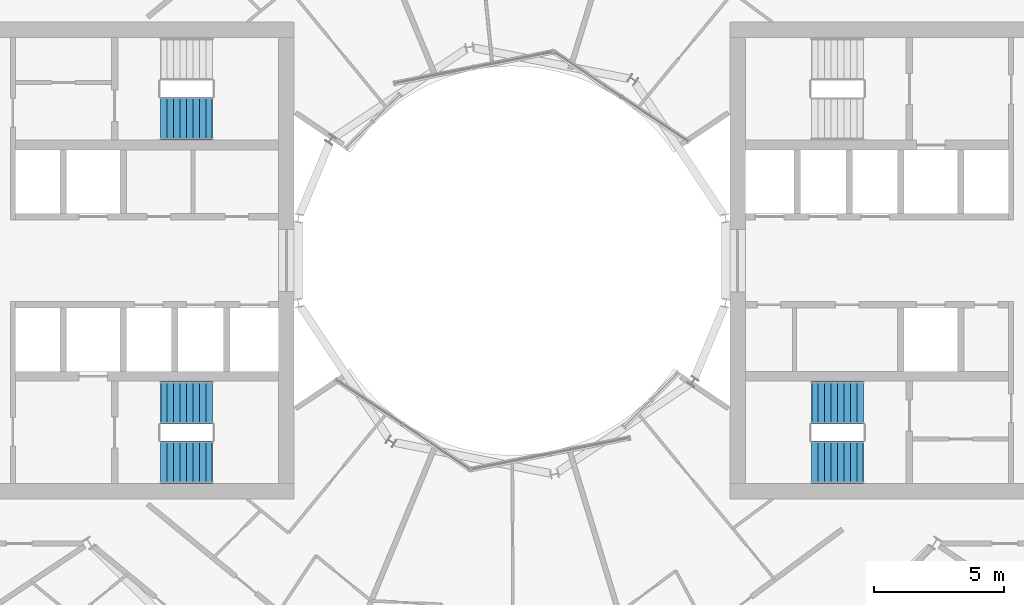
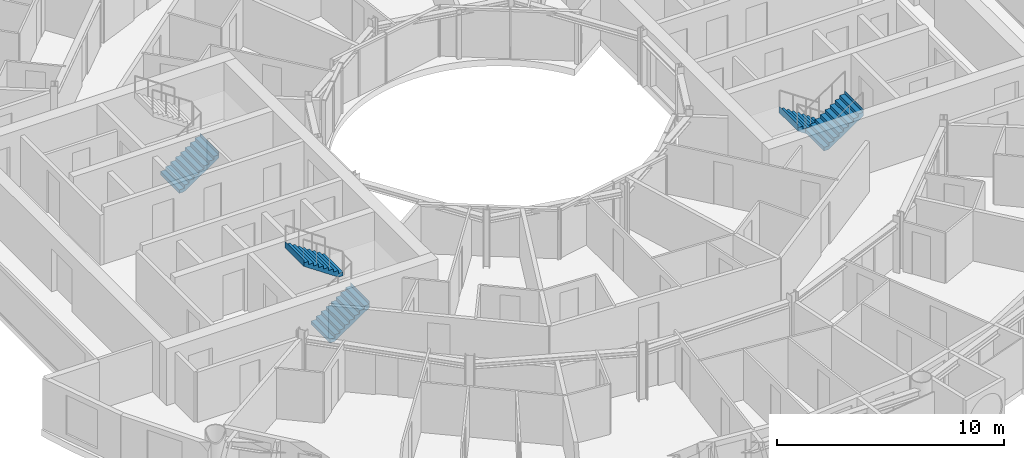
# One storey, part 24 of 27: 5 stair flights, 3 elements without a shape of their own.
"""IFC4 building model written with IfcOpenShell, lengths in metres."""

from ifc_helpers import new_model, si_unit, direction, frame, origin, place, context, subcontext, project, spatial, triangles, material, type_object, element, aggregate, save


model = new_model("IFC4")

# Units and contexts
model_context = context("Model", 3, precision=1e-05, world=origin(), true_north=direction((0.0, 1.0)))
body_context = subcontext(model_context, "Body", "Model", "MODEL_VIEW")
ifc_project = project(units=[si_unit("LENGTHUNIT", "METRE"), si_unit("AREAUNIT", "SQUARE_METRE"), si_unit("VOLUMEUNIT", "CUBIC_METRE"), si_unit("PLANEANGLEUNIT", "RADIAN"), si_unit("MASSUNIT", "GRAM", prefix="KILO")], contexts=[model_context])

# Site, building, storey
site_placement = place(None, origin())
site = spatial("IfcSite", under=ifc_project, at=site_placement, CompositionType="ELEMENT")
building_placement = place(site_placement, origin())
building = spatial("IfcBuilding", under=site, at=building_placement, Name="Maasbend Ring Residences", CompositionType="ELEMENT")
storey_placement = place(building_placement, frame((0.0, 0.0, 114.699951171875)))
storey = spatial("IfcBuildingStorey", under=building, at=storey_placement, Name="L32", CompositionType="ELEMENT", Elevation=114.699951171875)

# Stair, stair flights
ifc_material_1 = material(Name="Concrete C40/50", Category="concrete")
stair_type = type_object("IfcStairType", Name="CORE STAIR 18 RISERS", PredefinedType="HALF_TURN_STAIR", material=ifc_material_1)
stair_1_placement = place(storey_placement, origin())
stair_1 = element("IfcStair", 1, at=stair_1_placement, inside=storey, type_object=stair_type, Name="L32 Exit stair ST-E2", PredefinedType="HALF_TURN_STAIR")
ifc_material_2 = material(Name="Concrete C40/50", Category="concrete")
stair_flight_type = type_object("IfcStairFlightType", Name="CORE STAIR FLIGHT 1650", PredefinedType="STRAIGHT", material=ifc_material_2)
stair_flight_1_placement = place(storey_placement, frame((13.550048828125, -5.47509765625, 0.0), z_axis=(0.0, 0.0, 1.0), x_axis=(-1.0, 0.0, 0.0)))
stair_flight_1 = element("IfcStairFlight", 2, at=stair_flight_1_placement, type_object=stair_flight_type, Name="ST-E2 flight 1", NumberOfRisers=9, NumberOfTreads=8, PredefinedType="STRAIGHT", RiserHeight=0.169444444, TreadLength=0.25, context=body_context, shape_type="Tessellation", body=[
    triangles([(0.24072265625, 0.824951171875, -0.02001953125), (2.0029296875, 0.824951171875, 1.174560546875), (2.0029296875, 0.824951171875, 1.52490234375), (1.989990234375, 0.824951171875, 1.35546875), (1.75, 0.824951171875, 1.35546875), (1.75, 0.824951171875, 1.18603515625), (1.5, 0.824951171875, 1.18603515625), (1.5, 0.824951171875, 1.0166015625), (1.25, 0.824951171875, 1.0166015625), (1.25, 0.824951171875, 0.84716796875), (1.0, 0.824951171875, 0.84716796875), (1.0, 0.824951171875, 0.677734375), (0.75, 0.824951171875, 0.677734375), (0.75, 0.824951171875, 0.50830078125), (0.5, 0.824951171875, 0.50830078125), (0.5, 0.824951171875, 0.3388671875), (0.25, 0.824951171875, 0.3388671875), (0.25, 0.824951171875, 0.16943359375), (0.0, 0.824951171875, 0.16943359375), (0.0, 0.824951171875, 0.0), (-0.0029296875, 0.824951171875, 0.0), (-0.0029296875, 0.824951171875, -0.02001953125), (0.24072265625, 0.27490234375, -0.02001953125), (2.0029296875, 0.27490234375, 1.174560546875), (2.0029296875, 0.27490234375, 1.52490234375), (1.989990234375, 0.27490234375, 1.35546875), (1.75, 0.27490234375, 1.35546875), (1.75, 0.27490234375, 1.18603515625), (1.5, 0.27490234375, 1.18603515625), (1.5, 0.27490234375, 1.0166015625), (1.25, 0.27490234375, 1.0166015625), (1.25, 0.27490234375, 0.84716796875), (1.0, 0.27490234375, 0.84716796875), (1.0, 0.27490234375, 0.677734375), (0.75, 0.27490234375, 0.677734375), (0.75, 0.27490234375, 0.50830078125), (0.5, 0.27490234375, 0.50830078125), (0.5, 0.27490234375, 0.3388671875), (0.25, 0.27490234375, 0.3388671875), (0.25, 0.27490234375, 0.16943359375), (0.0, 0.27490234375, 0.16943359375), (0.0, 0.27490234375, 0.0), (-0.0029296875, 0.27490234375, 0.0), (-0.0029296875, 0.27490234375, -0.02001953125), (0.24072265625, -0.27490234375, -0.02001953125), (2.0029296875, -0.27490234375, 1.174560546875), (2.0029296875, -0.27490234375, 1.52490234375), (1.989990234375, -0.27490234375, 1.35546875), (1.75, -0.27490234375, 1.35546875), (1.75, -0.27490234375, 1.18603515625), (1.5, -0.27490234375, 1.18603515625), (1.5, -0.27490234375, 1.0166015625), (1.25, -0.27490234375, 1.0166015625), (1.25, -0.27490234375, 0.84716796875), (1.0, -0.27490234375, 0.84716796875), (1.0, -0.27490234375, 0.677734375), (0.75, -0.27490234375, 0.677734375), (0.75, -0.27490234375, 0.50830078125), (0.5, -0.27490234375, 0.50830078125), (0.5, -0.27490234375, 0.3388671875), (0.25, -0.27490234375, 0.3388671875), (0.25, -0.27490234375, 0.16943359375), (0.0, -0.27490234375, 0.16943359375), (0.0, -0.27490234375, 0.0), (-0.0029296875, -0.27490234375, 0.0), (-0.0029296875, -0.27490234375, -0.02001953125), (0.24072265625, -0.824951171875, -0.02001953125), (2.0029296875, -0.824951171875, 1.174560546875), (2.0029296875, -0.824951171875, 1.52490234375), (1.989990234375, -0.824951171875, 1.35546875), (1.75, -0.824951171875, 1.35546875), (1.75, -0.824951171875, 1.18603515625), (1.5, -0.824951171875, 1.18603515625), (1.5, -0.824951171875, 1.0166015625), (1.25, -0.824951171875, 1.0166015625), (1.25, -0.824951171875, 0.84716796875), (1.0, -0.824951171875, 0.84716796875), (1.0, -0.824951171875, 0.677734375), (0.75, -0.824951171875, 0.677734375), (0.75, -0.824951171875, 0.50830078125), (0.5, -0.824951171875, 0.50830078125), (0.5, -0.824951171875, 0.3388671875), (0.25, -0.824951171875, 0.3388671875), (0.25, -0.824951171875, 0.16943359375), (0.0, -0.824951171875, 0.16943359375), (0.0, -0.824951171875, 0.0), (-0.0029296875, -0.824951171875, 0.0), (-0.0029296875, -0.824951171875, -0.02001953125)], [[1, 2, 24], [1, 24, 23], [23, 24, 46], [23, 46, 45], [45, 46, 68], [45, 68, 67], [2, 3, 25], [2, 25, 24], [24, 25, 47], [24, 47, 46], [46, 47, 69], [46, 69, 68], [3, 4, 26], [3, 26, 25], [25, 26, 48], [25, 48, 47], [47, 48, 70], [47, 70, 69], [4, 5, 27], [4, 27, 26], [26, 27, 49], [26, 49, 48], [48, 49, 71], [48, 71, 70], [5, 6, 28], [5, 28, 27], [27, 28, 50], [27, 50, 49], [49, 50, 72], [49, 72, 71], [6, 7, 29], [6, 29, 28], [28, 29, 51], [28, 51, 50], [50, 51, 73], [50, 73, 72], [7, 8, 30], [7, 30, 29], [29, 30, 52], [29, 52, 51], [51, 52, 74], [51, 74, 73], [8, 9, 31], [8, 31, 30], [30, 31, 53], [30, 53, 52], [52, 53, 75], [52, 75, 74], [9, 10, 32], [9, 32, 31], [31, 32, 54], [31, 54, 53], [53, 54, 76], [53, 76, 75], [10, 11, 33], [10, 33, 32], [32, 33, 55], [32, 55, 54], [54, 55, 77], [54, 77, 76], [11, 12, 34], [11, 34, 33], [33, 34, 56], [33, 56, 55], [55, 56, 78], [55, 78, 77], [12, 13, 35], [12, 35, 34], [34, 35, 57], [34, 57, 56], [56, 57, 79], [56, 79, 78], [13, 14, 36], [13, 36, 35], [35, 36, 58], [35, 58, 57], [57, 58, 80], [57, 80, 79], [14, 15, 37], [14, 37, 36], [36, 37, 59], [36, 59, 58], [58, 59, 81], [58, 81, 80], [15, 16, 38], [15, 38, 37], [37, 38, 60], [37, 60, 59], [59, 60, 82], [59, 82, 81], [16, 17, 39], [16, 39, 38], [38, 39, 61], [38, 61, 60], [60, 61, 83], [60, 83, 82], [17, 18, 40], [17, 40, 39], [39, 40, 62], [39, 62, 61], [61, 62, 84], [61, 84, 83], [18, 19, 41], [18, 41, 40], [40, 41, 63], [40, 63, 62], [62, 63, 85], [62, 85, 84], [19, 20, 42], [19, 42, 41], [41, 42, 64], [41, 64, 63], [63, 64, 86], [63, 86, 85], [20, 21, 43], [20, 43, 42], [42, 43, 65], [42, 65, 64], [64, 65, 87], [64, 87, 86], [21, 22, 44], [21, 44, 43], [43, 44, 66], [43, 66, 65], [65, 66, 88], [65, 88, 87], [22, 1, 23], [22, 23, 44], [44, 23, 45], [44, 45, 66], [66, 45, 67], [66, 67, 88], [22, 2, 1], [2, 4, 3], [2, 5, 4], [2, 6, 5], [22, 6, 2], [6, 8, 7], [22, 8, 6], [8, 10, 9], [22, 10, 8], [10, 12, 11], [22, 12, 10], [12, 14, 13], [22, 14, 12], [14, 16, 15], [22, 16, 14], [16, 18, 17], [22, 18, 16], [18, 20, 19], [22, 20, 18], [20, 22, 21], [88, 67, 68], [68, 69, 70], [68, 70, 71], [68, 71, 72], [88, 68, 72], [72, 73, 74], [88, 72, 74], [74, 75, 76], [88, 74, 76], [76, 77, 78], [88, 76, 78], [78, 79, 80], [88, 78, 80], [80, 81, 82], [88, 80, 82], [82, 83, 84], [88, 82, 84], [84, 85, 86], [88, 84, 86], [86, 87, 88]], closed=True),
])
stair_flight_2_placement = place(storey_placement, frame((11.550048828125, -7.77490234375, 1.525146484375), z_axis=(0.0, 0.0, 1.0), x_axis=(1.0, 0.0, 0.0)))
stair_flight_2 = element("IfcStairFlight", 3, at=stair_flight_2_placement, type_object=stair_flight_type, Name="ST-E2 flight 2", NumberOfRisers=9, NumberOfTreads=8, PredefinedType="STRAIGHT", RiserHeight=0.169444444, TreadLength=0.25, context=body_context, shape_type="Tessellation", body=[
    triangles([(0.24072265625, 0.824951171875, -0.02001953125), (2.0029296875, 0.824951171875, 1.174560546875), (2.0029296875, 0.824951171875, 1.52490234375), (1.989990234375, 0.824951171875, 1.35546875), (1.75, 0.824951171875, 1.35546875), (1.75, 0.824951171875, 1.18603515625), (1.5, 0.824951171875, 1.18603515625), (1.5, 0.824951171875, 1.0166015625), (1.25, 0.824951171875, 1.0166015625), (1.25, 0.824951171875, 0.84716796875), (1.0, 0.824951171875, 0.84716796875), (1.0, 0.824951171875, 0.677734375), (0.75, 0.824951171875, 0.677734375), (0.75, 0.824951171875, 0.50830078125), (0.5, 0.824951171875, 0.50830078125), (0.5, 0.824951171875, 0.3388671875), (0.25, 0.824951171875, 0.3388671875), (0.25, 0.824951171875, 0.16943359375), (0.0, 0.824951171875, 0.16943359375), (0.0, 0.824951171875, 0.0), (-0.0029296875, 0.824951171875, 0.0), (-0.0029296875, 0.824951171875, -0.02001953125), (0.24072265625, 0.27490234375, -0.02001953125), (2.0029296875, 0.27490234375, 1.174560546875), (2.0029296875, 0.27490234375, 1.52490234375), (1.989990234375, 0.27490234375, 1.35546875), (1.75, 0.27490234375, 1.35546875), (1.75, 0.27490234375, 1.18603515625), (1.5, 0.27490234375, 1.18603515625), (1.5, 0.27490234375, 1.0166015625), (1.25, 0.27490234375, 1.0166015625), (1.25, 0.27490234375, 0.84716796875), (1.0, 0.27490234375, 0.84716796875), (1.0, 0.27490234375, 0.677734375), (0.75, 0.27490234375, 0.677734375), (0.75, 0.27490234375, 0.50830078125), (0.5, 0.27490234375, 0.50830078125), (0.5, 0.27490234375, 0.3388671875), (0.25, 0.27490234375, 0.3388671875), (0.25, 0.27490234375, 0.16943359375), (0.0, 0.27490234375, 0.16943359375), (0.0, 0.27490234375, 0.0), (-0.0029296875, 0.27490234375, 0.0), (-0.0029296875, 0.27490234375, -0.02001953125), (0.24072265625, -0.27490234375, -0.02001953125), (2.0029296875, -0.27490234375, 1.174560546875), (2.0029296875, -0.27490234375, 1.52490234375), (1.989990234375, -0.27490234375, 1.35546875), (1.75, -0.27490234375, 1.35546875), (1.75, -0.27490234375, 1.18603515625), (1.5, -0.27490234375, 1.18603515625), (1.5, -0.27490234375, 1.0166015625), (1.25, -0.27490234375, 1.0166015625), (1.25, -0.27490234375, 0.84716796875), (1.0, -0.27490234375, 0.84716796875), (1.0, -0.27490234375, 0.677734375), (0.75, -0.27490234375, 0.677734375), (0.75, -0.27490234375, 0.50830078125), (0.5, -0.27490234375, 0.50830078125), (0.5, -0.27490234375, 0.3388671875), (0.25, -0.27490234375, 0.3388671875), (0.25, -0.27490234375, 0.16943359375), (0.0, -0.27490234375, 0.16943359375), (0.0, -0.27490234375, 0.0), (-0.0029296875, -0.27490234375, 0.0), (-0.0029296875, -0.27490234375, -0.02001953125), (0.24072265625, -0.824951171875, -0.02001953125), (2.0029296875, -0.824951171875, 1.174560546875), (2.0029296875, -0.824951171875, 1.52490234375), (1.989990234375, -0.824951171875, 1.35546875), (1.75, -0.824951171875, 1.35546875), (1.75, -0.824951171875, 1.18603515625), (1.5, -0.824951171875, 1.18603515625), (1.5, -0.824951171875, 1.0166015625), (1.25, -0.824951171875, 1.0166015625), (1.25, -0.824951171875, 0.84716796875), (1.0, -0.824951171875, 0.84716796875), (1.0, -0.824951171875, 0.677734375), (0.75, -0.824951171875, 0.677734375), (0.75, -0.824951171875, 0.50830078125), (0.5, -0.824951171875, 0.50830078125), (0.5, -0.824951171875, 0.3388671875), (0.25, -0.824951171875, 0.3388671875), (0.25, -0.824951171875, 0.16943359375), (0.0, -0.824951171875, 0.16943359375), (0.0, -0.824951171875, 0.0), (-0.0029296875, -0.824951171875, 0.0), (-0.0029296875, -0.824951171875, -0.02001953125)], [[1, 2, 24], [1, 24, 23], [23, 24, 46], [23, 46, 45], [45, 46, 68], [45, 68, 67], [2, 3, 25], [2, 25, 24], [24, 25, 47], [24, 47, 46], [46, 47, 69], [46, 69, 68], [3, 4, 26], [3, 26, 25], [25, 26, 48], [25, 48, 47], [47, 48, 70], [47, 70, 69], [4, 5, 27], [4, 27, 26], [26, 27, 49], [26, 49, 48], [48, 49, 71], [48, 71, 70], [5, 6, 28], [5, 28, 27], [27, 28, 50], [27, 50, 49], [49, 50, 72], [49, 72, 71], [6, 7, 29], [6, 29, 28], [28, 29, 51], [28, 51, 50], [50, 51, 73], [50, 73, 72], [7, 8, 30], [7, 30, 29], [29, 30, 52], [29, 52, 51], [51, 52, 74], [51, 74, 73], [8, 9, 31], [8, 31, 30], [30, 31, 53], [30, 53, 52], [52, 53, 75], [52, 75, 74], [9, 10, 32], [9, 32, 31], [31, 32, 54], [31, 54, 53], [53, 54, 76], [53, 76, 75], [10, 11, 33], [10, 33, 32], [32, 33, 55], [32, 55, 54], [54, 55, 77], [54, 77, 76], [11, 12, 34], [11, 34, 33], [33, 34, 56], [33, 56, 55], [55, 56, 78], [55, 78, 77], [12, 13, 35], [12, 35, 34], [34, 35, 57], [34, 57, 56], [56, 57, 79], [56, 79, 78], [13, 14, 36], [13, 36, 35], [35, 36, 58], [35, 58, 57], [57, 58, 80], [57, 80, 79], [14, 15, 37], [14, 37, 36], [36, 37, 59], [36, 59, 58], [58, 59, 81], [58, 81, 80], [15, 16, 38], [15, 38, 37], [37, 38, 60], [37, 60, 59], [59, 60, 82], [59, 82, 81], [16, 17, 39], [16, 39, 38], [38, 39, 61], [38, 61, 60], [60, 61, 83], [60, 83, 82], [17, 18, 40], [17, 40, 39], [39, 40, 62], [39, 62, 61], [61, 62, 84], [61, 84, 83], [18, 19, 41], [18, 41, 40], [40, 41, 63], [40, 63, 62], [62, 63, 85], [62, 85, 84], [19, 20, 42], [19, 42, 41], [41, 42, 64], [41, 64, 63], [63, 64, 86], [63, 86, 85], [20, 21, 43], [20, 43, 42], [42, 43, 65], [42, 65, 64], [64, 65, 87], [64, 87, 86], [21, 22, 44], [21, 44, 43], [43, 44, 66], [43, 66, 65], [65, 66, 88], [65, 88, 87], [22, 1, 23], [22, 23, 44], [44, 23, 45], [44, 45, 66], [66, 45, 67], [66, 67, 88], [22, 2, 1], [2, 4, 3], [2, 5, 4], [2, 6, 5], [22, 6, 2], [6, 8, 7], [22, 8, 6], [8, 10, 9], [22, 10, 8], [10, 12, 11], [22, 12, 10], [12, 14, 13], [22, 14, 12], [14, 16, 15], [22, 16, 14], [16, 18, 17], [22, 18, 16], [18, 20, 19], [22, 20, 18], [20, 22, 21], [88, 67, 68], [68, 69, 70], [68, 70, 71], [68, 71, 72], [88, 68, 72], [72, 73, 74], [88, 72, 74], [74, 75, 76], [88, 74, 76], [76, 77, 78], [88, 76, 78], [78, 79, 80], [88, 78, 80], [80, 81, 82], [88, 80, 82], [82, 83, 84], [88, 82, 84], [84, 85, 86], [88, 84, 86], [86, 87, 88]], closed=True),
])
aggregate(stair_1, [stair_flight_1, stair_flight_2])

stair_2_placement = place(storey_placement, origin())
stair_2 = element("IfcStair", 4, at=stair_2_placement, inside=storey, type_object=stair_type, Name="L32 Exit stair ST-W1", PredefinedType="HALF_TURN_STAIR")
stair_flight_3_placement = place(storey_placement, frame((-13.550048828125, -7.77490234375, 0.0), z_axis=(0.0, 0.0, 1.0), x_axis=(1.0, 0.0, 0.0)))
stair_flight_3 = element("IfcStairFlight", 5, at=stair_flight_3_placement, type_object=stair_flight_type, Name="ST-W1 flight 1", NumberOfRisers=9, NumberOfTreads=8, PredefinedType="STRAIGHT", RiserHeight=0.169444444, TreadLength=0.25, context=body_context, shape_type="Tessellation", body=[
    triangles([(0.24072265625, 0.824951171875, -0.02001953125), (2.0029296875, 0.824951171875, 1.174560546875), (2.0029296875, 0.824951171875, 1.52490234375), (1.989990234375, 0.824951171875, 1.35546875), (1.75, 0.824951171875, 1.35546875), (1.75, 0.824951171875, 1.18603515625), (1.5, 0.824951171875, 1.18603515625), (1.5, 0.824951171875, 1.0166015625), (1.25, 0.824951171875, 1.0166015625), (1.25, 0.824951171875, 0.84716796875), (1.0, 0.824951171875, 0.84716796875), (1.0, 0.824951171875, 0.677734375), (0.75, 0.824951171875, 0.677734375), (0.75, 0.824951171875, 0.50830078125), (0.5, 0.824951171875, 0.50830078125), (0.5, 0.824951171875, 0.3388671875), (0.25, 0.824951171875, 0.3388671875), (0.25, 0.824951171875, 0.16943359375), (0.0, 0.824951171875, 0.16943359375), (0.0, 0.824951171875, 0.0), (-0.0029296875, 0.824951171875, 0.0), (-0.0029296875, 0.824951171875, -0.02001953125), (0.24072265625, 0.27490234375, -0.02001953125), (2.0029296875, 0.27490234375, 1.174560546875), (2.0029296875, 0.27490234375, 1.52490234375), (1.989990234375, 0.27490234375, 1.35546875), (1.75, 0.27490234375, 1.35546875), (1.75, 0.27490234375, 1.18603515625), (1.5, 0.27490234375, 1.18603515625), (1.5, 0.27490234375, 1.0166015625), (1.25, 0.27490234375, 1.0166015625), (1.25, 0.27490234375, 0.84716796875), (1.0, 0.27490234375, 0.84716796875), (1.0, 0.27490234375, 0.677734375), (0.75, 0.27490234375, 0.677734375), (0.75, 0.27490234375, 0.50830078125), (0.5, 0.27490234375, 0.50830078125), (0.5, 0.27490234375, 0.3388671875), (0.25, 0.27490234375, 0.3388671875), (0.25, 0.27490234375, 0.16943359375), (0.0, 0.27490234375, 0.16943359375), (0.0, 0.27490234375, 0.0), (-0.0029296875, 0.27490234375, 0.0), (-0.0029296875, 0.27490234375, -0.02001953125), (0.24072265625, -0.27490234375, -0.02001953125), (2.0029296875, -0.27490234375, 1.174560546875), (2.0029296875, -0.27490234375, 1.52490234375), (1.989990234375, -0.27490234375, 1.35546875), (1.75, -0.27490234375, 1.35546875), (1.75, -0.27490234375, 1.18603515625), (1.5, -0.27490234375, 1.18603515625), (1.5, -0.27490234375, 1.0166015625), (1.25, -0.27490234375, 1.0166015625), (1.25, -0.27490234375, 0.84716796875), (1.0, -0.27490234375, 0.84716796875), (1.0, -0.27490234375, 0.677734375), (0.75, -0.27490234375, 0.677734375), (0.75, -0.27490234375, 0.50830078125), (0.5, -0.27490234375, 0.50830078125), (0.5, -0.27490234375, 0.3388671875), (0.25, -0.27490234375, 0.3388671875), (0.25, -0.27490234375, 0.16943359375), (0.0, -0.27490234375, 0.16943359375), (0.0, -0.27490234375, 0.0), (-0.0029296875, -0.27490234375, 0.0), (-0.0029296875, -0.27490234375, -0.02001953125), (0.24072265625, -0.824951171875, -0.02001953125), (2.0029296875, -0.824951171875, 1.174560546875), (2.0029296875, -0.824951171875, 1.52490234375), (1.989990234375, -0.824951171875, 1.35546875), (1.75, -0.824951171875, 1.35546875), (1.75, -0.824951171875, 1.18603515625), (1.5, -0.824951171875, 1.18603515625), (1.5, -0.824951171875, 1.0166015625), (1.25, -0.824951171875, 1.0166015625), (1.25, -0.824951171875, 0.84716796875), (1.0, -0.824951171875, 0.84716796875), (1.0, -0.824951171875, 0.677734375), (0.75, -0.824951171875, 0.677734375), (0.75, -0.824951171875, 0.50830078125), (0.5, -0.824951171875, 0.50830078125), (0.5, -0.824951171875, 0.3388671875), (0.25, -0.824951171875, 0.3388671875), (0.25, -0.824951171875, 0.16943359375), (0.0, -0.824951171875, 0.16943359375), (0.0, -0.824951171875, 0.0), (-0.0029296875, -0.824951171875, 0.0), (-0.0029296875, -0.824951171875, -0.02001953125)], [[1, 2, 24], [1, 24, 23], [23, 24, 46], [23, 46, 45], [45, 46, 68], [45, 68, 67], [2, 3, 25], [2, 25, 24], [24, 25, 47], [24, 47, 46], [46, 47, 69], [46, 69, 68], [3, 4, 26], [3, 26, 25], [25, 26, 48], [25, 48, 47], [47, 48, 70], [47, 70, 69], [4, 5, 27], [4, 27, 26], [26, 27, 49], [26, 49, 48], [48, 49, 71], [48, 71, 70], [5, 6, 28], [5, 28, 27], [27, 28, 50], [27, 50, 49], [49, 50, 72], [49, 72, 71], [6, 7, 29], [6, 29, 28], [28, 29, 51], [28, 51, 50], [50, 51, 73], [50, 73, 72], [7, 8, 30], [7, 30, 29], [29, 30, 52], [29, 52, 51], [51, 52, 74], [51, 74, 73], [8, 9, 31], [8, 31, 30], [30, 31, 53], [30, 53, 52], [52, 53, 75], [52, 75, 74], [9, 10, 32], [9, 32, 31], [31, 32, 54], [31, 54, 53], [53, 54, 76], [53, 76, 75], [10, 11, 33], [10, 33, 32], [32, 33, 55], [32, 55, 54], [54, 55, 77], [54, 77, 76], [11, 12, 34], [11, 34, 33], [33, 34, 56], [33, 56, 55], [55, 56, 78], [55, 78, 77], [12, 13, 35], [12, 35, 34], [34, 35, 57], [34, 57, 56], [56, 57, 79], [56, 79, 78], [13, 14, 36], [13, 36, 35], [35, 36, 58], [35, 58, 57], [57, 58, 80], [57, 80, 79], [14, 15, 37], [14, 37, 36], [36, 37, 59], [36, 59, 58], [58, 59, 81], [58, 81, 80], [15, 16, 38], [15, 38, 37], [37, 38, 60], [37, 60, 59], [59, 60, 82], [59, 82, 81], [16, 17, 39], [16, 39, 38], [38, 39, 61], [38, 61, 60], [60, 61, 83], [60, 83, 82], [17, 18, 40], [17, 40, 39], [39, 40, 62], [39, 62, 61], [61, 62, 84], [61, 84, 83], [18, 19, 41], [18, 41, 40], [40, 41, 63], [40, 63, 62], [62, 63, 85], [62, 85, 84], [19, 20, 42], [19, 42, 41], [41, 42, 64], [41, 64, 63], [63, 64, 86], [63, 86, 85], [20, 21, 43], [20, 43, 42], [42, 43, 65], [42, 65, 64], [64, 65, 87], [64, 87, 86], [21, 22, 44], [21, 44, 43], [43, 44, 66], [43, 66, 65], [65, 66, 88], [65, 88, 87], [22, 1, 23], [22, 23, 44], [44, 23, 45], [44, 45, 66], [66, 45, 67], [66, 67, 88], [22, 2, 1], [2, 4, 3], [2, 5, 4], [2, 6, 5], [22, 6, 2], [6, 8, 7], [22, 8, 6], [8, 10, 9], [22, 10, 8], [10, 12, 11], [22, 12, 10], [12, 14, 13], [22, 14, 12], [14, 16, 15], [22, 16, 14], [16, 18, 17], [22, 18, 16], [18, 20, 19], [22, 20, 18], [20, 22, 21], [88, 67, 68], [68, 69, 70], [68, 70, 71], [68, 71, 72], [88, 68, 72], [72, 73, 74], [88, 72, 74], [74, 75, 76], [88, 74, 76], [76, 77, 78], [88, 76, 78], [78, 79, 80], [88, 78, 80], [80, 81, 82], [88, 80, 82], [82, 83, 84], [88, 82, 84], [84, 85, 86], [88, 84, 86], [86, 87, 88]], closed=True),
])
stair_flight_4_placement = place(storey_placement, frame((-11.550048828125, -5.47509765625, 1.525146484375), z_axis=(0.0, 0.0, 1.0), x_axis=(-1.0, 0.0, 0.0)))
stair_flight_4 = element("IfcStairFlight", 6, at=stair_flight_4_placement, type_object=stair_flight_type, Name="ST-W1 flight 2", NumberOfRisers=9, NumberOfTreads=8, PredefinedType="STRAIGHT", RiserHeight=0.169444444, TreadLength=0.25, context=body_context, shape_type="Tessellation", body=[
    triangles([(0.24072265625, 0.824951171875, -0.02001953125), (2.0029296875, 0.824951171875, 1.174560546875), (2.0029296875, 0.824951171875, 1.52490234375), (1.989990234375, 0.824951171875, 1.35546875), (1.75, 0.824951171875, 1.35546875), (1.75, 0.824951171875, 1.18603515625), (1.5, 0.824951171875, 1.18603515625), (1.5, 0.824951171875, 1.0166015625), (1.25, 0.824951171875, 1.0166015625), (1.25, 0.824951171875, 0.84716796875), (1.0, 0.824951171875, 0.84716796875), (1.0, 0.824951171875, 0.677734375), (0.75, 0.824951171875, 0.677734375), (0.75, 0.824951171875, 0.50830078125), (0.5, 0.824951171875, 0.50830078125), (0.5, 0.824951171875, 0.3388671875), (0.25, 0.824951171875, 0.3388671875), (0.25, 0.824951171875, 0.16943359375), (0.0, 0.824951171875, 0.16943359375), (0.0, 0.824951171875, 0.0), (-0.0029296875, 0.824951171875, 0.0), (-0.0029296875, 0.824951171875, -0.02001953125), (0.24072265625, 0.27490234375, -0.02001953125), (2.0029296875, 0.27490234375, 1.174560546875), (2.0029296875, 0.27490234375, 1.52490234375), (1.989990234375, 0.27490234375, 1.35546875), (1.75, 0.27490234375, 1.35546875), (1.75, 0.27490234375, 1.18603515625), (1.5, 0.27490234375, 1.18603515625), (1.5, 0.27490234375, 1.0166015625), (1.25, 0.27490234375, 1.0166015625), (1.25, 0.27490234375, 0.84716796875), (1.0, 0.27490234375, 0.84716796875), (1.0, 0.27490234375, 0.677734375), (0.75, 0.27490234375, 0.677734375), (0.75, 0.27490234375, 0.50830078125), (0.5, 0.27490234375, 0.50830078125), (0.5, 0.27490234375, 0.3388671875), (0.25, 0.27490234375, 0.3388671875), (0.25, 0.27490234375, 0.16943359375), (0.0, 0.27490234375, 0.16943359375), (0.0, 0.27490234375, 0.0), (-0.0029296875, 0.27490234375, 0.0), (-0.0029296875, 0.27490234375, -0.02001953125), (0.24072265625, -0.27490234375, -0.02001953125), (2.0029296875, -0.27490234375, 1.174560546875), (2.0029296875, -0.27490234375, 1.52490234375), (1.989990234375, -0.27490234375, 1.35546875), (1.75, -0.27490234375, 1.35546875), (1.75, -0.27490234375, 1.18603515625), (1.5, -0.27490234375, 1.18603515625), (1.5, -0.27490234375, 1.0166015625), (1.25, -0.27490234375, 1.0166015625), (1.25, -0.27490234375, 0.84716796875), (1.0, -0.27490234375, 0.84716796875), (1.0, -0.27490234375, 0.677734375), (0.75, -0.27490234375, 0.677734375), (0.75, -0.27490234375, 0.50830078125), (0.5, -0.27490234375, 0.50830078125), (0.5, -0.27490234375, 0.3388671875), (0.25, -0.27490234375, 0.3388671875), (0.25, -0.27490234375, 0.16943359375), (0.0, -0.27490234375, 0.16943359375), (0.0, -0.27490234375, 0.0), (-0.0029296875, -0.27490234375, 0.0), (-0.0029296875, -0.27490234375, -0.02001953125), (0.24072265625, -0.824951171875, -0.02001953125), (2.0029296875, -0.824951171875, 1.174560546875), (2.0029296875, -0.824951171875, 1.52490234375), (1.989990234375, -0.824951171875, 1.35546875), (1.75, -0.824951171875, 1.35546875), (1.75, -0.824951171875, 1.18603515625), (1.5, -0.824951171875, 1.18603515625), (1.5, -0.824951171875, 1.0166015625), (1.25, -0.824951171875, 1.0166015625), (1.25, -0.824951171875, 0.84716796875), (1.0, -0.824951171875, 0.84716796875), (1.0, -0.824951171875, 0.677734375), (0.75, -0.824951171875, 0.677734375), (0.75, -0.824951171875, 0.50830078125), (0.5, -0.824951171875, 0.50830078125), (0.5, -0.824951171875, 0.3388671875), (0.25, -0.824951171875, 0.3388671875), (0.25, -0.824951171875, 0.16943359375), (0.0, -0.824951171875, 0.16943359375), (0.0, -0.824951171875, 0.0), (-0.0029296875, -0.824951171875, 0.0), (-0.0029296875, -0.824951171875, -0.02001953125)], [[1, 2, 24], [1, 24, 23], [23, 24, 46], [23, 46, 45], [45, 46, 68], [45, 68, 67], [2, 3, 25], [2, 25, 24], [24, 25, 47], [24, 47, 46], [46, 47, 69], [46, 69, 68], [3, 4, 26], [3, 26, 25], [25, 26, 48], [25, 48, 47], [47, 48, 70], [47, 70, 69], [4, 5, 27], [4, 27, 26], [26, 27, 49], [26, 49, 48], [48, 49, 71], [48, 71, 70], [5, 6, 28], [5, 28, 27], [27, 28, 50], [27, 50, 49], [49, 50, 72], [49, 72, 71], [6, 7, 29], [6, 29, 28], [28, 29, 51], [28, 51, 50], [50, 51, 73], [50, 73, 72], [7, 8, 30], [7, 30, 29], [29, 30, 52], [29, 52, 51], [51, 52, 74], [51, 74, 73], [8, 9, 31], [8, 31, 30], [30, 31, 53], [30, 53, 52], [52, 53, 75], [52, 75, 74], [9, 10, 32], [9, 32, 31], [31, 32, 54], [31, 54, 53], [53, 54, 76], [53, 76, 75], [10, 11, 33], [10, 33, 32], [32, 33, 55], [32, 55, 54], [54, 55, 77], [54, 77, 76], [11, 12, 34], [11, 34, 33], [33, 34, 56], [33, 56, 55], [55, 56, 78], [55, 78, 77], [12, 13, 35], [12, 35, 34], [34, 35, 57], [34, 57, 56], [56, 57, 79], [56, 79, 78], [13, 14, 36], [13, 36, 35], [35, 36, 58], [35, 58, 57], [57, 58, 80], [57, 80, 79], [14, 15, 37], [14, 37, 36], [36, 37, 59], [36, 59, 58], [58, 59, 81], [58, 81, 80], [15, 16, 38], [15, 38, 37], [37, 38, 60], [37, 60, 59], [59, 60, 82], [59, 82, 81], [16, 17, 39], [16, 39, 38], [38, 39, 61], [38, 61, 60], [60, 61, 83], [60, 83, 82], [17, 18, 40], [17, 40, 39], [39, 40, 62], [39, 62, 61], [61, 62, 84], [61, 84, 83], [18, 19, 41], [18, 41, 40], [40, 41, 63], [40, 63, 62], [62, 63, 85], [62, 85, 84], [19, 20, 42], [19, 42, 41], [41, 42, 64], [41, 64, 63], [63, 64, 86], [63, 86, 85], [20, 21, 43], [20, 43, 42], [42, 43, 65], [42, 65, 64], [64, 65, 87], [64, 87, 86], [21, 22, 44], [21, 44, 43], [43, 44, 66], [43, 66, 65], [65, 66, 88], [65, 88, 87], [22, 1, 23], [22, 23, 44], [44, 23, 45], [44, 45, 66], [66, 45, 67], [66, 67, 88], [22, 2, 1], [2, 4, 3], [2, 5, 4], [2, 6, 5], [22, 6, 2], [6, 8, 7], [22, 8, 6], [8, 10, 9], [22, 10, 8], [10, 12, 11], [22, 12, 10], [12, 14, 13], [22, 14, 12], [14, 16, 15], [22, 16, 14], [16, 18, 17], [22, 18, 16], [18, 20, 19], [22, 20, 18], [20, 22, 21], [88, 67, 68], [68, 69, 70], [68, 70, 71], [68, 71, 72], [88, 68, 72], [72, 73, 74], [88, 72, 74], [74, 75, 76], [88, 74, 76], [76, 77, 78], [88, 76, 78], [78, 79, 80], [88, 78, 80], [80, 81, 82], [88, 80, 82], [82, 83, 84], [88, 82, 84], [84, 85, 86], [88, 84, 86], [86, 87, 88]], closed=True),
])
aggregate(stair_2, [stair_flight_3, stair_flight_4])

# Stair, stair flight
stair_3_placement = place(storey_placement, origin())
stair_3 = element("IfcStair", 7, at=stair_3_placement, inside=storey, type_object=stair_type, Name="L32 Exit stair ST-W2", PredefinedType="HALF_TURN_STAIR")
stair_flight_5_placement = place(storey_placement, frame((-13.550048828125, 5.47509765625, 0.0), z_axis=(0.0, 0.0, 1.0), x_axis=(1.0, 0.0, 0.0)))
stair_flight_5 = element("IfcStairFlight", 8, at=stair_flight_5_placement, type_object=stair_flight_type, Name="ST-W2 flight 1", NumberOfRisers=9, NumberOfTreads=8, PredefinedType="STRAIGHT", RiserHeight=0.169444444, TreadLength=0.25, context=body_context, shape_type="Tessellation", body=[
    triangles([(0.24072265625, 0.824951171875, -0.02001953125), (2.0029296875, 0.824951171875, 1.174560546875), (2.0029296875, 0.824951171875, 1.52490234375), (1.989990234375, 0.824951171875, 1.35546875), (1.75, 0.824951171875, 1.35546875), (1.75, 0.824951171875, 1.18603515625), (1.5, 0.824951171875, 1.18603515625), (1.5, 0.824951171875, 1.0166015625), (1.25, 0.824951171875, 1.0166015625), (1.25, 0.824951171875, 0.84716796875), (1.0, 0.824951171875, 0.84716796875), (1.0, 0.824951171875, 0.677734375), (0.75, 0.824951171875, 0.677734375), (0.75, 0.824951171875, 0.50830078125), (0.5, 0.824951171875, 0.50830078125), (0.5, 0.824951171875, 0.3388671875), (0.25, 0.824951171875, 0.3388671875), (0.25, 0.824951171875, 0.16943359375), (0.0, 0.824951171875, 0.16943359375), (0.0, 0.824951171875, 0.0), (-0.0029296875, 0.824951171875, 0.0), (-0.0029296875, 0.824951171875, -0.02001953125), (0.24072265625, 0.27490234375, -0.02001953125), (2.0029296875, 0.27490234375, 1.174560546875), (2.0029296875, 0.27490234375, 1.52490234375), (1.989990234375, 0.27490234375, 1.35546875), (1.75, 0.27490234375, 1.35546875), (1.75, 0.27490234375, 1.18603515625), (1.5, 0.27490234375, 1.18603515625), (1.5, 0.27490234375, 1.0166015625), (1.25, 0.27490234375, 1.0166015625), (1.25, 0.27490234375, 0.84716796875), (1.0, 0.27490234375, 0.84716796875), (1.0, 0.27490234375, 0.677734375), (0.75, 0.27490234375, 0.677734375), (0.75, 0.27490234375, 0.50830078125), (0.5, 0.27490234375, 0.50830078125), (0.5, 0.27490234375, 0.3388671875), (0.25, 0.27490234375, 0.3388671875), (0.25, 0.27490234375, 0.16943359375), (0.0, 0.27490234375, 0.16943359375), (0.0, 0.27490234375, 0.0), (-0.0029296875, 0.27490234375, 0.0), (-0.0029296875, 0.27490234375, -0.02001953125), (0.24072265625, -0.27490234375, -0.02001953125), (2.0029296875, -0.27490234375, 1.174560546875), (2.0029296875, -0.27490234375, 1.52490234375), (1.989990234375, -0.27490234375, 1.35546875), (1.75, -0.27490234375, 1.35546875), (1.75, -0.27490234375, 1.18603515625), (1.5, -0.27490234375, 1.18603515625), (1.5, -0.27490234375, 1.0166015625), (1.25, -0.27490234375, 1.0166015625), (1.25, -0.27490234375, 0.84716796875), (1.0, -0.27490234375, 0.84716796875), (1.0, -0.27490234375, 0.677734375), (0.75, -0.27490234375, 0.677734375), (0.75, -0.27490234375, 0.50830078125), (0.5, -0.27490234375, 0.50830078125), (0.5, -0.27490234375, 0.3388671875), (0.25, -0.27490234375, 0.3388671875), (0.25, -0.27490234375, 0.16943359375), (0.0, -0.27490234375, 0.16943359375), (0.0, -0.27490234375, 0.0), (-0.0029296875, -0.27490234375, 0.0), (-0.0029296875, -0.27490234375, -0.02001953125), (0.24072265625, -0.824951171875, -0.02001953125), (2.0029296875, -0.824951171875, 1.174560546875), (2.0029296875, -0.824951171875, 1.52490234375), (1.989990234375, -0.824951171875, 1.35546875), (1.75, -0.824951171875, 1.35546875), (1.75, -0.824951171875, 1.18603515625), (1.5, -0.824951171875, 1.18603515625), (1.5, -0.824951171875, 1.0166015625), (1.25, -0.824951171875, 1.0166015625), (1.25, -0.824951171875, 0.84716796875), (1.0, -0.824951171875, 0.84716796875), (1.0, -0.824951171875, 0.677734375), (0.75, -0.824951171875, 0.677734375), (0.75, -0.824951171875, 0.50830078125), (0.5, -0.824951171875, 0.50830078125), (0.5, -0.824951171875, 0.3388671875), (0.25, -0.824951171875, 0.3388671875), (0.25, -0.824951171875, 0.16943359375), (0.0, -0.824951171875, 0.16943359375), (0.0, -0.824951171875, 0.0), (-0.0029296875, -0.824951171875, 0.0), (-0.0029296875, -0.824951171875, -0.02001953125)], [[1, 2, 24], [1, 24, 23], [23, 24, 46], [23, 46, 45], [45, 46, 68], [45, 68, 67], [2, 3, 25], [2, 25, 24], [24, 25, 47], [24, 47, 46], [46, 47, 69], [46, 69, 68], [3, 4, 26], [3, 26, 25], [25, 26, 48], [25, 48, 47], [47, 48, 70], [47, 70, 69], [4, 5, 27], [4, 27, 26], [26, 27, 49], [26, 49, 48], [48, 49, 71], [48, 71, 70], [5, 6, 28], [5, 28, 27], [27, 28, 50], [27, 50, 49], [49, 50, 72], [49, 72, 71], [6, 7, 29], [6, 29, 28], [28, 29, 51], [28, 51, 50], [50, 51, 73], [50, 73, 72], [7, 8, 30], [7, 30, 29], [29, 30, 52], [29, 52, 51], [51, 52, 74], [51, 74, 73], [8, 9, 31], [8, 31, 30], [30, 31, 53], [30, 53, 52], [52, 53, 75], [52, 75, 74], [9, 10, 32], [9, 32, 31], [31, 32, 54], [31, 54, 53], [53, 54, 76], [53, 76, 75], [10, 11, 33], [10, 33, 32], [32, 33, 55], [32, 55, 54], [54, 55, 77], [54, 77, 76], [11, 12, 34], [11, 34, 33], [33, 34, 56], [33, 56, 55], [55, 56, 78], [55, 78, 77], [12, 13, 35], [12, 35, 34], [34, 35, 57], [34, 57, 56], [56, 57, 79], [56, 79, 78], [13, 14, 36], [13, 36, 35], [35, 36, 58], [35, 58, 57], [57, 58, 80], [57, 80, 79], [14, 15, 37], [14, 37, 36], [36, 37, 59], [36, 59, 58], [58, 59, 81], [58, 81, 80], [15, 16, 38], [15, 38, 37], [37, 38, 60], [37, 60, 59], [59, 60, 82], [59, 82, 81], [16, 17, 39], [16, 39, 38], [38, 39, 61], [38, 61, 60], [60, 61, 83], [60, 83, 82], [17, 18, 40], [17, 40, 39], [39, 40, 62], [39, 62, 61], [61, 62, 84], [61, 84, 83], [18, 19, 41], [18, 41, 40], [40, 41, 63], [40, 63, 62], [62, 63, 85], [62, 85, 84], [19, 20, 42], [19, 42, 41], [41, 42, 64], [41, 64, 63], [63, 64, 86], [63, 86, 85], [20, 21, 43], [20, 43, 42], [42, 43, 65], [42, 65, 64], [64, 65, 87], [64, 87, 86], [21, 22, 44], [21, 44, 43], [43, 44, 66], [43, 66, 65], [65, 66, 88], [65, 88, 87], [22, 1, 23], [22, 23, 44], [44, 23, 45], [44, 45, 66], [66, 45, 67], [66, 67, 88], [22, 2, 1], [2, 4, 3], [2, 5, 4], [2, 6, 5], [22, 6, 2], [6, 8, 7], [22, 8, 6], [8, 10, 9], [22, 10, 8], [10, 12, 11], [22, 12, 10], [12, 14, 13], [22, 14, 12], [14, 16, 15], [22, 16, 14], [16, 18, 17], [22, 18, 16], [18, 20, 19], [22, 20, 18], [20, 22, 21], [88, 67, 68], [68, 69, 70], [68, 70, 71], [68, 71, 72], [88, 68, 72], [72, 73, 74], [88, 72, 74], [74, 75, 76], [88, 74, 76], [76, 77, 78], [88, 76, 78], [78, 79, 80], [88, 78, 80], [80, 81, 82], [88, 80, 82], [82, 83, 84], [88, 82, 84], [84, 85, 86], [88, 84, 86], [86, 87, 88]], closed=True),
])
aggregate(stair_3, [stair_flight_5])

save(model, "model.ifc")
